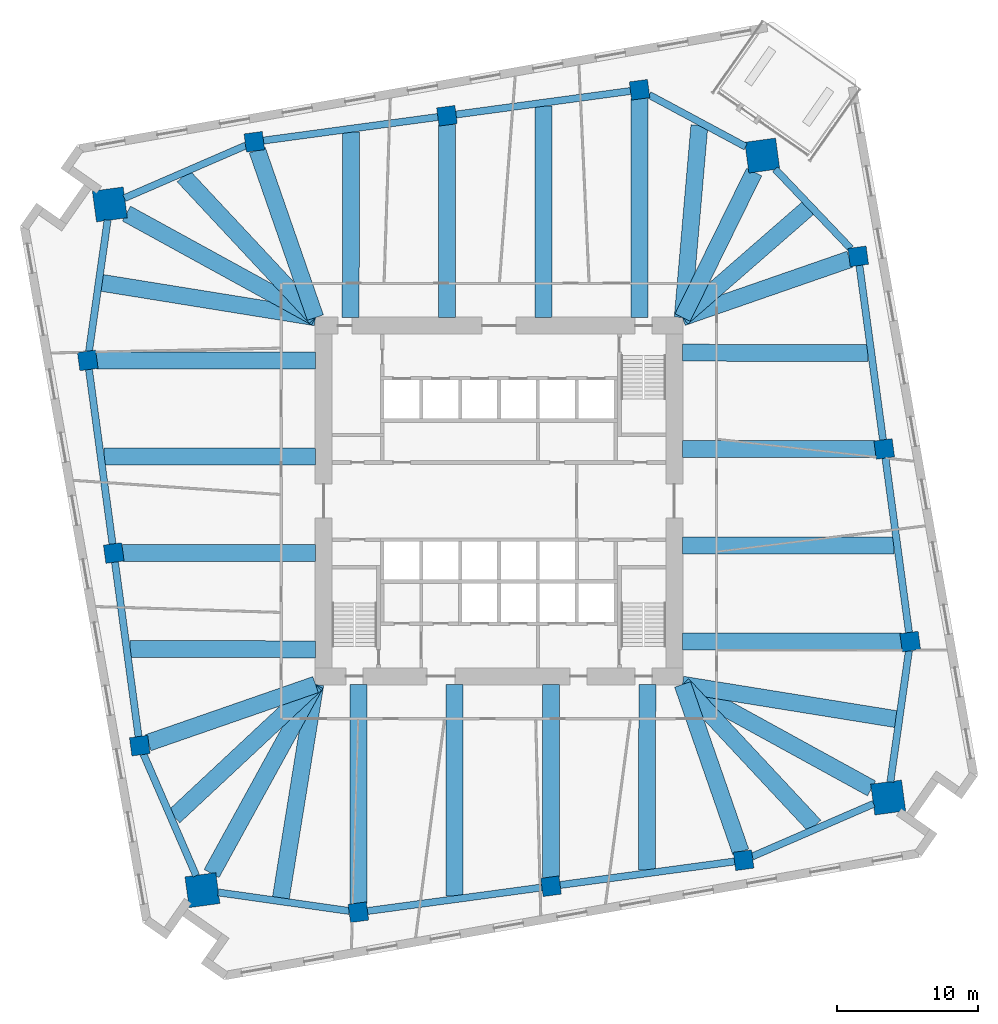
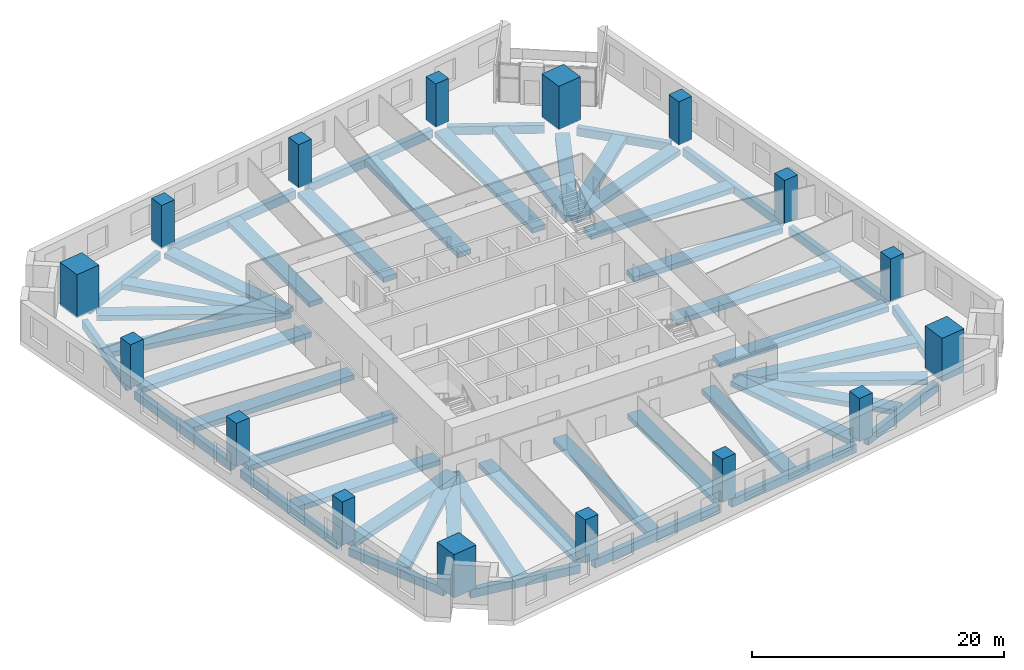
# One storey, part 1 of 10: 48 beams, 16 columns.
"""IFC4 building model written with IfcOpenShell, lengths in metres."""

import ifcopenshell
import ifcopenshell.guid

model = None  # the IFC model being written
_history = None  # IfcOwnerHistory: only IFC2X3 demands one
_inside = {}  # id of a spatial element -> (the spatial element, [elements in it])
_under = {}  # id of a project, library or spatial element -> (it, [spatial elements below it])
_declared = {}  # id of a project -> (the project, [libraries it declares])
_typed = {}  # id of a type object -> (the type object, [elements of that type])
_made_of = {}  # id of a material, layer set ... -> (it, [elements and type objects made of it])


def new_model(schema):
    """Start an empty IFC model of exactly this schema.

    Asked for "IFC4X3", IfcOpenShell would pick the latest addendum, in which some entities
    have other attributes; the version numbers below select the first issue.
    IFC2X3 requires an IfcOwnerHistory on every rooted entity: one is made here for all.
    """
    global model, _history
    if schema == "IFC4X3":
        model = ifcopenshell.file(schema_version=(4, 3, 0, 0))
    else:
        model = ifcopenshell.file(schema=schema)
    _inside.clear()
    _under.clear()
    _declared.clear()
    _typed.clear()
    _made_of.clear()
    _history = None
    if model.schema == "IFC2X3":
        org = make("IfcOrganization", Name="unknown")
        user = make(
            "IfcPersonAndOrganization",
            ThePerson=make("IfcPerson", FamilyName="unknown"),
            TheOrganization=org,
        )
        app = make(
            "IfcApplication",
            ApplicationDeveloper=org,
            Version="unknown",
            ApplicationFullName="unknown",
            ApplicationIdentifier="unknown",
        )
        _history = make(
            "IfcOwnerHistory",
            OwningUser=user,
            OwningApplication=app,
            ChangeAction="ADDED",
            CreationDate=0,
        )
    return model


def make(cls, **values):
    """One entity of the class cls with the attributes given. An attribute that is None is left unset."""
    return model.create_entity(
        cls, **{name: value for name, value in values.items() if value is not None}
    )


def rooted(cls, **values):
    """An entity with a GlobalId (a new one), such as an element, a storey or a relation."""
    return make(cls, GlobalId=ifcopenshell.guid.new(), OwnerHistory=_history, **values)


def si_unit(unit_type, name, prefix=None):
    """IfcSIUnit, for example si_unit("LENGTHUNIT", "METRE", prefix="MILLI")."""
    return make("IfcSIUnit", UnitType=unit_type, Prefix=prefix, Name=name)


def assignment(units):
    """IfcUnitAssignment: the units of a project."""
    return None if units is None else make("IfcUnitAssignment", Units=units)


def point(xyz):
    """IfcCartesianPoint."""
    return None if xyz is None else make("IfcCartesianPoint", Coordinates=xyz)


def direction(xyz):
    """IfcDirection."""
    return None if xyz is None else make("IfcDirection", DirectionRatios=xyz)


def frame(location, z_axis=None, x_axis=None):
    """IfcAxis2Placement3D, a coordinate frame: its origin and axes. An axis left out is left unset."""
    return make(
        "IfcAxis2Placement3D",
        Location=point(location),
        Axis=direction(z_axis),
        RefDirection=direction(x_axis),
    )


def frame_2d(location, x_axis=None):
    """IfcAxis2Placement2D, a coordinate frame in the plane: its origin and x axis."""
    return make(
        "IfcAxis2Placement2D", Location=point(location), RefDirection=direction(x_axis)
    )


def origin():
    """The frame at (0, 0, 0) with its axes left unset."""
    return frame((0.0, 0.0, 0.0))


def origin_2d():
    """The frame at (0, 0) in the plane with its x axis left unset."""
    return frame_2d((0.0, 0.0))


def place(relative_to, where):
    """IfcLocalPlacement: puts the frame where relative to a parent placement (None: the world)."""
    return make(
        "IfcLocalPlacement", PlacementRelTo=relative_to, RelativePlacement=where
    )


def context(
    kind, dimensions, precision=None, world=None, true_north=None, identifier=None
):
    """IfcGeometricRepresentationContext, for example the 3D "Model" context."""
    return make(
        "IfcGeometricRepresentationContext",
        ContextIdentifier=identifier,
        ContextType=kind,
        CoordinateSpaceDimension=dimensions,
        Precision=precision,
        WorldCoordinateSystem=world,
        TrueNorth=true_north,
    )


def subcontext(parent, identifier, kind, view, scale=None):
    """IfcGeometricRepresentationSubContext, for example "Body" below "Model"."""
    return make(
        "IfcGeometricRepresentationSubContext",
        ContextIdentifier=identifier,
        ContextType=kind,
        ParentContext=parent,
        TargetScale=scale,
        TargetView=view,
    )


def project(units=None, contexts=None):
    """IfcProject with its units and contexts."""
    return rooted(
        "IfcProject",
        Name="project",
        RepresentationContexts=contexts,
        UnitsInContext=assignment(units),
    )


def spatial(cls, under=None, at=None, **own):
    """A site, building, storey or space (cls), placed at a placement, below another one or the project."""
    s = rooted(cls, ObjectPlacement=at, **own)
    if under is not None:
        _under.setdefault(under.id(), (under, []))[1].append(s)
    return s


def profile(cls, at=None, kind="AREA", **sizes):
    """A parametric profile (cls). Its sizes go by their IFC names, for example OverallWidth=200.0."""
    return make(cls, ProfileType=kind, Position=at, **sizes)


def rectangle(**sizes):
    """IfcRectangleProfileDef."""
    return profile("IfcRectangleProfileDef", **sizes)


def extrude(swept, where, along, depth):
    """IfcExtrudedAreaSolid: the profile swept, set in the frame where, extruded along a direction by depth."""
    return make(
        "IfcExtrudedAreaSolid",
        SweptArea=swept,
        Position=where,
        ExtrudedDirection=direction(along),
        Depth=depth,
    )


def shape(context_of_items, identifier, shape_type, items):
    """IfcShapeRepresentation: the items that make up one representation, for example the "Body"."""
    return make(
        "IfcShapeRepresentation",
        ContextOfItems=context_of_items,
        RepresentationIdentifier=identifier,
        RepresentationType=shape_type,
        Items=items,
    )


def material(Name=None, Category=None):
    """IfcMaterial."""
    return make("IfcMaterial", Name=Name, Category=Category)


def material_profile(
    of_material, cross_section, Name=None, Category=None, Priority=None
):
    """IfcMaterialProfile: a cross section and its material."""
    return make(
        "IfcMaterialProfile",
        Name=Name,
        Material=of_material,
        Profile=cross_section,
        Priority=Priority,
        Category=Category,
    )


def profile_set(profiles, Name=None, composite=None):
    """IfcMaterialProfileSet."""
    return make(
        "IfcMaterialProfileSet",
        Name=Name,
        MaterialProfiles=profiles,
        CompositeProfile=composite,
    )


def made_of(thing, what):
    """Note that an element or type object is made of a material, layer set ...; save() writes the relation."""
    if what is not None:
        _made_of.setdefault(what.id(), (what, []))[1].append(thing)
    return thing


def type_object(cls, material=None, **own):
    """A type object (cls), such as IfcWallType, which elements share."""
    return made_of(rooted(cls, **own), material)


def element(
    cls,
    number,
    at=None,
    inside=None,
    cuts=None,
    type_object=None,
    material=None,
    context=None,
    identifier="Body",
    shape_type=None,
    held_by="IfcProductDefinitionShape",
    body=None,
    shapes=None,
    **own,
):
    """One element of the class cls, such as IfcWall. Its Tag is "e" and its number.

    at: its placement. inside: the storey or other place that contains it. cuts: it is an
    opening in that element (IfcRelVoidsElement). A single representation is given by context,
    identifier, shape_type and body (its items); several are given by shapes. held_by: the class
    of the entity that holds the representations. save() writes the other relations.
    """
    e = rooted(cls, Tag="e%d" % number, ObjectPlacement=at, **own)
    if body is not None:
        shapes = [shape(context, identifier, shape_type, body)]
    if shapes is not None:
        e.Representation = make(held_by, Representations=shapes)
    if inside is not None:
        _inside.setdefault(inside.id(), (inside, []))[1].append(e)
    if cuts is not None:
        rooted(
            "IfcRelVoidsElement", RelatingBuildingElement=cuts, RelatedOpeningElement=e
        )
    if type_object is not None:
        _typed.setdefault(type_object.id(), (type_object, []))[1].append(e)
    return made_of(e, material)


def aggregate(whole, parts):
    """IfcRelAggregates: a whole, such as a stair, and the parts it consists of."""
    return rooted("IfcRelAggregates", RelatingObject=whole, RelatedObjects=parts)


def save(model, path):
    """Write the relations noted so far, then the file.

    IfcRelAggregates (storeys below a building ...), IfcRelContainedInSpatialStructure (elements
    in a storey), IfcRelDefinesByType, IfcRelAssociatesMaterial and IfcRelDeclares: one each for
    every whole, place, type object, material and project.
    """
    for whole, parts in _under.values():
        aggregate(whole, parts)
    for where, things in _inside.values():
        rooted(
            "IfcRelContainedInSpatialStructure",
            RelatedElements=things,
            RelatingStructure=where,
        )
    for kind, things in _typed.values():
        rooted("IfcRelDefinesByType", RelatedObjects=things, RelatingType=kind)
    for what, things in _made_of.values():
        rooted("IfcRelAssociatesMaterial", RelatedObjects=things, RelatingMaterial=what)
    for by, libraries in _declared.values():
        rooted("IfcRelDeclares", RelatingContext=by, RelatedDefinitions=libraries)
    model.write(path)


model = new_model("IFC4")

# Units and contexts
model_context = context("Model", 3, precision=1e-05, world=origin(), true_north=direction((0.0, 1.0)))
body_context = subcontext(model_context, "Body", "Model", "MODEL_VIEW")
ifc_project = project(units=[si_unit("LENGTHUNIT", "METRE"), si_unit("AREAUNIT", "SQUARE_METRE"), si_unit("VOLUMEUNIT", "CUBIC_METRE"), si_unit("PLANEANGLEUNIT", "RADIAN"), si_unit("MASSUNIT", "GRAM", prefix="KILO")], contexts=[model_context])

# Site, building, storey
site_placement = place(None, origin())
site = spatial("IfcSite", under=ifc_project, at=site_placement, CompositionType="ELEMENT")
building_placement = place(site_placement, origin())
building = spatial("IfcBuilding", under=site, at=building_placement, Name="Dilmun Exchange Tower", CompositionType="ELEMENT")
storey_placement = place(building_placement, frame((0.0, 0.0, 59.699951171875)))
storey = spatial("IfcBuildingStorey", under=building, at=storey_placement, Name="L13", CompositionType="ELEMENT", Elevation=59.699951171875)

# Columns
ifc_material_1 = material(Name="Concrete C80/95", Category="concrete")
ifc_material_profile_1 = material_profile(ifc_material_1, rectangle(XDim=2.199951171875, YDim=2.199951171875, at=origin_2d()), Name="2200 x 2200")
ifc_profile_set_1 = profile_set([ifc_material_profile_1], Name="Concrete C80/95")
column_type_1 = type_object("IfcColumnType", Name="RC mega column 2200 x 2200 C80/95", PredefinedType="COLUMN", material=ifc_profile_set_1)
for number, where, z_axis, x_axis, name in (
    (1, (18.6220703125, 24.43701171875, 0.0), (0.0, 0.0, 1.0), (0.991001197216, 0.133853005627, 0.0), "Mega column M1"),
    (2, (-27.531005859375, 20.97900390625, 0.0), (0.0, 0.0, 1.0), (0.991001197216, 0.133853005627, 0.0), "Mega column M2"),
    (3, (-20.97900390625, -27.531005859375, 0.0), (0.0, 0.0, 1.0), (0.991001197216, 0.133853005627, 0.0), "Mega column M3"),
    (4, (27.531005859375, -20.97900390625, 0.0), (0.0, 0.0, 1.0), (0.991001197216, 0.133853005627, 0.0), "Mega column M4"),
):
    element("IfcColumn", number, at=place(storey_placement, frame(where, z_axis=z_axis, x_axis=x_axis)), inside=storey, type_object=column_type_1, Name=name, PredefinedType="COLUMN", context=body_context, shape_type="SweptSolid", body=[
        extrude(rectangle(XDim=2.199951171875, YDim=2.199951171875, at=origin_2d()), origin(), (0.0, 0.0, 1.0), 4.199951171875),
    ])
ifc_material_profile_2 = material_profile(ifc_material_1, rectangle(XDim=1.300048828125, YDim=1.300048828125, at=origin_2d()), Name="1300 x 1300")
ifc_profile_set_2 = profile_set([ifc_material_profile_2], Name="Concrete C80/95")
column_type_2 = type_object("IfcColumnType", Name="RC ring column 1300 x 1300 C80/95", PredefinedType="COLUMN", material=ifc_profile_set_2)
for number, where, z_axis, x_axis, name in (
    (5, (9.945068359375, 29.093017578125, 0.0), (0.0, 0.0, 1.0), (0.991001197216, 0.133853005627, 0.0), "Ring column R01"),
    (6, (-3.680908203125, 27.2529296875, 0.0), (0.0, 0.0, 1.0), (0.991001197216, 0.133853005627, 0.0), "Ring column R02"),
    (7, (-17.306884765625, 25.412109375, 0.0), (0.0, 0.0, 1.0), (0.991001197216, 0.133853005627, 0.0), "Ring column R03"),
    (8, (-29.093017578125, 9.945068359375, 0.0), (0.0, 0.0, 1.0), (0.991001197216, 0.133853005627, 0.0), "Ring column R04"),
    (9, (-27.2529296875, -3.680908203125, 0.0), (0.0, 0.0, 1.0), (0.991001197216, 0.133853005627, 0.0), "Ring column R05"),
    (10, (-25.412109375, -17.306884765625, 0.0), (0.0, 0.0, 1.0), (0.991001197216, 0.133853005627, 0.0), "Ring column R06"),
    (11, (-9.945068359375, -29.093017578125, 0.0), (0.0, 0.0, 1.0), (0.991001197216, 0.133853005627, 0.0), "Ring column R07"),
    (12, (3.680908203125, -27.2529296875, 0.0), (0.0, 0.0, 1.0), (0.991001197216, 0.133853005627, 0.0), "Ring column R08"),
    (13, (17.306884765625, -25.412109375, 0.0), (0.0, 0.0, 1.0), (0.991001197216, 0.133853005627, 0.0), "Ring column R09"),
    (14, (29.093017578125, -9.945068359375, 0.0), (0.0, 0.0, 1.0), (0.991001197216, 0.133853005627, 0.0), "Ring column R10"),
    (15, (27.2529296875, 3.680908203125, 0.0), (0.0, 0.0, 1.0), (0.991001197216, 0.133853005627, 0.0), "Ring column R11"),
    (16, (25.412109375, 17.306884765625, 0.0), (0.0, 0.0, 1.0), (0.991001197216, 0.133853005627, 0.0), "Ring column R12"),
):
    element("IfcColumn", number, at=place(storey_placement, frame(where, z_axis=z_axis, x_axis=x_axis)), inside=storey, type_object=column_type_2, Name=name, PredefinedType="COLUMN", context=body_context, shape_type="SweptSolid", body=[
        extrude(rectangle(XDim=1.300048828125, YDim=1.300048828125, at=origin_2d()), origin(), (0.0, 0.0, 1.0), 4.199951171875),
    ])

# Beams
ifc_material_2 = material(Name="Concrete C40/50", Category="concrete")
ifc_material_profile_3 = material_profile(ifc_material_2, rectangle(XDim=1.199951171875, YDim=0.5, at=origin_2d()), Name="1200 x 500")
ifc_profile_set_3 = profile_set([ifc_material_profile_3], Name="Concrete C40/50")
beam_type_1 = type_object("IfcBeamType", Name="RC band beam 1200 x 500 C40/50", PredefinedType="BEAM", material=ifc_profile_set_3)
beam_1_placement = place(storey_placement, frame((18.049560546875, 23.272216796875, -0.699951171875), z_axis=(-0.44116009834, -0.897428419225, 0.0), x_axis=(0.897428419225, -0.44116009834, 0.0)))
element("IfcBeam", 17, at=beam_1_placement, inside=storey, type_object=beam_type_1, Name="Band beam 1", PredefinedType="BEAM", context=body_context, shape_type="SweptSolid", body=[
    extrude(rectangle(XDim=1.199951171875, YDim=0.5, at=origin_2d()), origin(), (0.0, 0.0, 1.0), 11.47314453125),
])
beam_2_placement = place(storey_placement, frame((9.945068359375, 28.464111328125, -0.699951171875), z_axis=(0.0, -1.0, 0.0), x_axis=(1.0, 0.0, 0.0)))
element("IfcBeam", 18, at=beam_2_placement, inside=storey, type_object=beam_type_1, Name="Band beam 2", PredefinedType="BEAM", context=body_context, shape_type="SweptSolid", body=[
    extrude(rectangle(XDim=1.199951171875, YDim=0.5, at=origin_2d()), origin(), (0.0, 0.0, 1.0), 15.4912109375),
])
beam_3_placement = place(storey_placement, frame((-3.680908203125, 26.6240234375, -0.699951171875), z_axis=(0.0, -1.0, 0.0), x_axis=(1.0, 0.0, 0.0)))
element("IfcBeam", 19, at=beam_3_placement, inside=storey, type_object=beam_type_1, Name="Band beam 3", PredefinedType="BEAM", context=body_context, shape_type="SweptSolid", body=[
    extrude(rectangle(XDim=1.199951171875, YDim=0.5, at=origin_2d()), origin(), (0.0, 0.0, 1.0), 13.651123046875),
])
beam_4_placement = place(storey_placement, frame((-17.098388671875, 24.81103515625, -0.699951171875), z_axis=(0.327819910959, -0.94474023201, 0.0), x_axis=(0.94474023201, 0.327819910959, 0.0)))
element("IfcBeam", 20, at=beam_4_placement, inside=storey, type_object=beam_type_1, Name="Band beam 4", PredefinedType="BEAM", context=body_context, shape_type="SweptSolid", body=[
    extrude(rectangle(XDim=1.199951171875, YDim=0.5, at=origin_2d()), origin(), (0.0, 0.0, 1.0), 12.52880859375),
])
beam_5_placement = place(storey_placement, frame((-26.355712890625, 20.333740234375, -0.699951171875), z_axis=(0.876547324806, -0.481315683699, 0.0), x_axis=(0.481315683699, 0.876547324806, 0.0)))
element("IfcBeam", 21, at=beam_5_placement, inside=storey, type_object=beam_type_1, Name="Band beam 5", PredefinedType="BEAM", context=body_context, shape_type="SweptSolid", body=[
    extrude(rectangle(XDim=1.199951171875, YDim=0.5, at=origin_2d()), origin(), (0.0, 0.0, 1.0), 15.263671875),
])
beam_6_placement = place(storey_placement, frame((-28.464111328125, 9.945068359375, -0.699951171875), z_axis=(1.0, 0.0, 0.0), x_axis=(0.0, 1.0, 0.0)))
element("IfcBeam", 22, at=beam_6_placement, inside=storey, type_object=beam_type_1, Name="Band beam 6", PredefinedType="BEAM", context=body_context, shape_type="SweptSolid", body=[
    extrude(rectangle(XDim=1.199951171875, YDim=0.5, at=origin_2d()), origin(), (0.0, 0.0, 1.0), 15.4912109375),
])
beam_7_placement = place(storey_placement, frame((-26.6240234375, -3.680908203125, -0.699951171875), z_axis=(1.0, 0.0, 0.0), x_axis=(0.0, 1.0, 0.0)))
element("IfcBeam", 23, at=beam_7_placement, inside=storey, type_object=beam_type_1, Name="Band beam 7", PredefinedType="BEAM", context=body_context, shape_type="SweptSolid", body=[
    extrude(rectangle(XDim=1.199951171875, YDim=0.5, at=origin_2d()), origin(), (0.0, 0.0, 1.0), 13.651123046875),
])
beam_8_placement = place(storey_placement, frame((-24.81103515625, -17.098388671875, -0.699951171875), z_axis=(0.94474023201, 0.327819910959, 0.0), x_axis=(-0.327819910959, 0.94474023201, 0.0)))
element("IfcBeam", 24, at=beam_8_placement, inside=storey, type_object=beam_type_1, Name="Band beam 8", PredefinedType="BEAM", context=body_context, shape_type="SweptSolid", body=[
    extrude(rectangle(XDim=1.199951171875, YDim=0.5, at=origin_2d()), origin(), (0.0, 0.0, 1.0), 12.52880859375),
])
beam_9_placement = place(storey_placement, frame((-20.333740234375, -26.355712890625, -0.699951171875), z_axis=(0.481315683699, 0.876547324806, 0.0), x_axis=(-0.876547324806, 0.481315683699, 0.0)))
element("IfcBeam", 25, at=beam_9_placement, inside=storey, type_object=beam_type_1, Name="Band beam 9", PredefinedType="BEAM", context=body_context, shape_type="SweptSolid", body=[
    extrude(rectangle(XDim=1.199951171875, YDim=0.5, at=origin_2d()), origin(), (0.0, 0.0, 1.0), 15.263671875),
])
beam_10_placement = place(storey_placement, frame((-9.945068359375, -28.464111328125, -0.699951171875), z_axis=(0.0, 1.0, 0.0), x_axis=(-1.0, 0.0, 0.0)))
element("IfcBeam", 26, at=beam_10_placement, inside=storey, type_object=beam_type_1, Name="Band beam 10", PredefinedType="BEAM", context=body_context, shape_type="SweptSolid", body=[
    extrude(rectangle(XDim=1.199951171875, YDim=0.5, at=origin_2d()), origin(), (0.0, 0.0, 1.0), 15.4912109375),
])
beam_11_placement = place(storey_placement, frame((3.680908203125, -26.6240234375, -0.699951171875), z_axis=(0.0, 1.0, 0.0), x_axis=(-1.0, 0.0, 0.0)))
element("IfcBeam", 27, at=beam_11_placement, inside=storey, type_object=beam_type_1, Name="Band beam 11", PredefinedType="BEAM", context=body_context, shape_type="SweptSolid", body=[
    extrude(rectangle(XDim=1.199951171875, YDim=0.5, at=origin_2d()), origin(), (0.0, 0.0, 1.0), 13.651123046875),
])
beam_12_placement = place(storey_placement, frame((17.098388671875, -24.81103515625, -0.699951171875), z_axis=(-0.327819910959, 0.94474023201, 0.0), x_axis=(-0.94474023201, -0.327819910959, 0.0)))
element("IfcBeam", 28, at=beam_12_placement, inside=storey, type_object=beam_type_1, Name="Band beam 12", PredefinedType="BEAM", context=body_context, shape_type="SweptSolid", body=[
    extrude(rectangle(XDim=1.199951171875, YDim=0.5, at=origin_2d()), origin(), (0.0, 0.0, 1.0), 12.52880859375),
])
beam_13_placement = place(storey_placement, frame((26.355712890625, -20.333740234375, -0.699951171875), z_axis=(-0.876547324806, 0.481315683699, 0.0), x_axis=(-0.481315683699, -0.876547324806, 0.0)))
element("IfcBeam", 29, at=beam_13_placement, inside=storey, type_object=beam_type_1, Name="Band beam 13", PredefinedType="BEAM", context=body_context, shape_type="SweptSolid", body=[
    extrude(rectangle(XDim=1.199951171875, YDim=0.5, at=origin_2d()), origin(), (0.0, 0.0, 1.0), 15.263671875),
])
beam_14_placement = place(storey_placement, frame((28.464111328125, -9.945068359375, -0.699951171875), z_axis=(-1.0, 0.0, 0.0), x_axis=(0.0, -1.0, 0.0)))
element("IfcBeam", 30, at=beam_14_placement, inside=storey, type_object=beam_type_1, Name="Band beam 14", PredefinedType="BEAM", context=body_context, shape_type="SweptSolid", body=[
    extrude(rectangle(XDim=1.199951171875, YDim=0.5, at=origin_2d()), origin(), (0.0, 0.0, 1.0), 15.4912109375),
])
beam_15_placement = place(storey_placement, frame((26.6240234375, 3.680908203125, -0.699951171875), z_axis=(-1.0, 0.0, 0.0), x_axis=(0.0, -1.0, 0.0)))
element("IfcBeam", 31, at=beam_15_placement, inside=storey, type_object=beam_type_1, Name="Band beam 15", PredefinedType="BEAM", context=body_context, shape_type="SweptSolid", body=[
    extrude(rectangle(XDim=1.199951171875, YDim=0.5, at=origin_2d()), origin(), (0.0, 0.0, 1.0), 13.651123046875),
])
beam_16_placement = place(storey_placement, frame((24.81103515625, 17.098388671875, -0.699951171875), z_axis=(-0.94474023201, -0.327819910959, 0.0), x_axis=(0.327819910959, -0.94474023201, 0.0)))
element("IfcBeam", 32, at=beam_16_placement, inside=storey, type_object=beam_type_1, Name="Band beam 16", PredefinedType="BEAM", context=body_context, shape_type="SweptSolid", body=[
    extrude(rectangle(XDim=1.199951171875, YDim=0.5, at=origin_2d()), origin(), (0.0, 0.0, 1.0), 12.52880859375),
])
beam_17_placement = place(storey_placement, frame((14.177978515625, 26.568603515625, -0.699951171875), z_axis=(-0.086499148019, -0.996251924662, 0.0), x_axis=(0.996251924662, -0.086499148019, 0.0)))
element("IfcBeam", 33, at=beam_17_placement, inside=storey, type_object=beam_type_1, Name="Band beam 17", PredefinedType="BEAM", context=body_context, shape_type="SweptSolid", body=[
    extrude(rectangle(XDim=1.199951171875, YDim=0.5, at=origin_2d()), origin(), (0.0, 0.0, 1.0), 13.646728515625),
])
beam_18_placement = place(storey_placement, frame((3.161865234375, 27.951904296875, -0.699951171875), z_axis=(-0.001988456479, -0.999998023018, 0.0), x_axis=(0.999998023018, -0.001988456479, 0.0)))
element("IfcBeam", 34, at=beam_18_placement, inside=storey, type_object=beam_type_1, Name="Band beam 18", PredefinedType="BEAM", context=body_context, shape_type="SweptSolid", body=[
    extrude(rectangle(XDim=1.199951171875, YDim=0.5, at=origin_2d()), origin(), (0.0, 0.0, 1.0), 14.97900390625),
])
beam_19_placement = place(storey_placement, frame((-10.464111328125, 26.111572265625, -0.699951171875), z_axis=(-0.002266977971, -0.999997430402, 0.0), x_axis=(0.999997430402, -0.002266977971, 0.0)))
element("IfcBeam", 35, at=beam_19_placement, inside=storey, type_object=beam_type_1, Name="Band beam 19", PredefinedType="BEAM", context=body_context, shape_type="SweptSolid", body=[
    extrude(rectangle(XDim=1.199951171875, YDim=0.5, at=origin_2d()), origin(), (0.0, 0.0, 1.0), 13.138671875),
])
beam_20_placement = place(storey_placement, frame((-22.330322265625, 22.990966796875, -0.699951171875), z_axis=(0.682523984798, -0.730863195253, 0.0), x_axis=(0.730863195253, 0.682523984798, 0.0)))
element("IfcBeam", 36, at=beam_20_placement, inside=storey, type_object=beam_type_1, Name="Band beam 20", PredefinedType="BEAM", context=body_context, shape_type="SweptSolid", body=[
    extrude(rectangle(XDim=1.199951171875, YDim=0.5, at=origin_2d()), origin(), (0.0, 0.0, 1.0), 13.697265625),
])
beam_21_placement = place(storey_placement, frame((-28.09130859375, 15.4306640625, -0.699951171875), z_axis=(0.98727513595, -0.159021400868, 0.0), x_axis=(0.159021400868, 0.98727513595, 0.0)))
element("IfcBeam", 37, at=beam_21_placement, inside=storey, type_object=beam_type_1, Name="Band beam 21", PredefinedType="BEAM", context=body_context, shape_type="SweptSolid", body=[
    extrude(rectangle(XDim=1.199951171875, YDim=0.5, at=origin_2d()), origin(), (0.0, 0.0, 1.0), 15.312744140625),
])
beam_22_placement = place(storey_placement, frame((-27.951904296875, 3.161865234375, -0.699951171875), z_axis=(0.999998023018, -0.001988456479, 0.0), x_axis=(0.001988456479, 0.999998023018, 0.0)))
element("IfcBeam", 38, at=beam_22_placement, inside=storey, type_object=beam_type_1, Name="Band beam 22", PredefinedType="BEAM", context=body_context, shape_type="SweptSolid", body=[
    extrude(rectangle(XDim=1.199951171875, YDim=0.5, at=origin_2d()), origin(), (0.0, 0.0, 1.0), 14.97900390625),
])
beam_23_placement = place(storey_placement, frame((-26.111572265625, -10.464111328125, -0.699951171875), z_axis=(0.999997430402, -0.002266977971, 0.0), x_axis=(0.002266977971, 0.999997430402, 0.0)))
element("IfcBeam", 39, at=beam_23_placement, inside=storey, type_object=beam_type_1, Name="Band beam 23", PredefinedType="BEAM", context=body_context, shape_type="SweptSolid", body=[
    extrude(rectangle(XDim=1.199951171875, YDim=0.5, at=origin_2d()), origin(), (0.0, 0.0, 1.0), 13.138671875),
])
beam_24_placement = place(storey_placement, frame((-22.990966796875, -22.330322265625, -0.699951171875), z_axis=(0.730863195253, 0.682523984798, 0.0), x_axis=(-0.682523984798, 0.730863195253, 0.0)))
element("IfcBeam", 40, at=beam_24_placement, inside=storey, type_object=beam_type_1, Name="Band beam 24", PredefinedType="BEAM", context=body_context, shape_type="SweptSolid", body=[
    extrude(rectangle(XDim=1.199951171875, YDim=0.5, at=origin_2d()), origin(), (0.0, 0.0, 1.0), 13.697265625),
])
beam_25_placement = place(storey_placement, frame((-15.4306640625, -28.09130859375, -0.699951171875), z_axis=(0.159021400868, 0.98727513595, 0.0), x_axis=(-0.98727513595, 0.159021400868, 0.0)))
element("IfcBeam", 41, at=beam_25_placement, inside=storey, type_object=beam_type_1, Name="Band beam 25", PredefinedType="BEAM", context=body_context, shape_type="SweptSolid", body=[
    extrude(rectangle(XDim=1.199951171875, YDim=0.5, at=origin_2d()), origin(), (0.0, 0.0, 1.0), 15.312744140625),
])
beam_26_placement = place(storey_placement, frame((-3.161865234375, -27.951904296875, -0.699951171875), z_axis=(0.001988456479, 0.999998023018, 0.0), x_axis=(-0.999998023018, 0.001988456479, 0.0)))
element("IfcBeam", 42, at=beam_26_placement, inside=storey, type_object=beam_type_1, Name="Band beam 26", PredefinedType="BEAM", context=body_context, shape_type="SweptSolid", body=[
    extrude(rectangle(XDim=1.199951171875, YDim=0.5, at=origin_2d()), origin(), (0.0, 0.0, 1.0), 14.97900390625),
])
beam_27_placement = place(storey_placement, frame((10.464111328125, -26.111572265625, -0.699951171875), z_axis=(0.002266977971, 0.999997430402, 0.0), x_axis=(-0.999997430402, 0.002266977971, 0.0)))
element("IfcBeam", 43, at=beam_27_placement, inside=storey, type_object=beam_type_1, Name="Band beam 27", PredefinedType="BEAM", context=body_context, shape_type="SweptSolid", body=[
    extrude(rectangle(XDim=1.199951171875, YDim=0.5, at=origin_2d()), origin(), (0.0, 0.0, 1.0), 13.138671875),
])
beam_28_placement = place(storey_placement, frame((22.330322265625, -22.990966796875, -0.699951171875), z_axis=(-0.682523984798, 0.730863195253, 0.0), x_axis=(-0.730863195253, -0.682523984798, 0.0)))
element("IfcBeam", 44, at=beam_28_placement, inside=storey, type_object=beam_type_1, Name="Band beam 28", PredefinedType="BEAM", context=body_context, shape_type="SweptSolid", body=[
    extrude(rectangle(XDim=1.199951171875, YDim=0.5, at=origin_2d()), origin(), (0.0, 0.0, 1.0), 13.697265625),
])
beam_29_placement = place(storey_placement, frame((28.09130859375, -15.4306640625, -0.699951171875), z_axis=(-0.98727513595, 0.159021400868, 0.0), x_axis=(-0.159021400868, -0.98727513595, 0.0)))
element("IfcBeam", 45, at=beam_29_placement, inside=storey, type_object=beam_type_1, Name="Band beam 29", PredefinedType="BEAM", context=body_context, shape_type="SweptSolid", body=[
    extrude(rectangle(XDim=1.199951171875, YDim=0.5, at=origin_2d()), origin(), (0.0, 0.0, 1.0), 15.312744140625),
])
beam_30_placement = place(storey_placement, frame((27.951904296875, -3.161865234375, -0.699951171875), z_axis=(-0.999998023018, 0.001988456479, 0.0), x_axis=(-0.001988456479, -0.999998023018, 0.0)))
element("IfcBeam", 46, at=beam_30_placement, inside=storey, type_object=beam_type_1, Name="Band beam 30", PredefinedType="BEAM", context=body_context, shape_type="SweptSolid", body=[
    extrude(rectangle(XDim=1.199951171875, YDim=0.5, at=origin_2d()), origin(), (0.0, 0.0, 1.0), 14.97900390625),
])
beam_31_placement = place(storey_placement, frame((26.111572265625, 10.464111328125, -0.699951171875), z_axis=(-0.999997430402, 0.002266977971, 0.0), x_axis=(-0.002266977971, -0.999997430402, 0.0)))
element("IfcBeam", 47, at=beam_31_placement, inside=storey, type_object=beam_type_1, Name="Band beam 31", PredefinedType="BEAM", context=body_context, shape_type="SweptSolid", body=[
    extrude(rectangle(XDim=1.199951171875, YDim=0.5, at=origin_2d()), origin(), (0.0, 0.0, 1.0), 13.138671875),
])
beam_32_placement = place(storey_placement, frame((21.85546875, 20.71826171875, -0.699951171875), z_axis=(-0.75384567582, -0.657051517803, 0.0), x_axis=(0.657051517803, -0.75384567582, 0.0)))
element("IfcBeam", 48, at=beam_32_placement, inside=storey, type_object=beam_type_1, Name="Band beam 32", PredefinedType="BEAM", context=body_context, shape_type="SweptSolid", body=[
    extrude(rectangle(XDim=1.199951171875, YDim=0.5, at=origin_2d()), origin(), (0.0, 0.0, 1.0), 11.77392578125),
])
ifc_material_profile_4 = material_profile(ifc_material_2, rectangle(XDim=0.5, YDim=0.800048828125, at=origin_2d()), Name="500 x 800")
ifc_profile_set_4 = profile_set([ifc_material_profile_4], Name="Concrete C40/50")
beam_type_2 = type_object("IfcBeamType", Name="RC ring beam 500 x 800 C40/50", PredefinedType="SPANDREL", material=ifc_profile_set_4)
beam_33_placement = place(storey_placement, frame((17.44921875, 25.06640625, -0.849853515625), z_axis=(-0.881161870548, 0.472814718354, 0.0), x_axis=(-0.472814718354, -0.881161870548, 0.0)))
element("IfcBeam", 49, at=beam_33_placement, inside=storey, type_object=beam_type_2, Name="Ring beam 1", PredefinedType="SPANDREL", context=body_context, shape_type="SweptSolid", body=[
    extrude(rectangle(XDim=0.5, YDim=0.800048828125, at=origin_2d()), origin(), (0.0, 0.0, 1.0), 7.74072265625),
])
for number, where, z_axis, x_axis, name in (
    (50, (9.32763671875, 29.009521484375, -0.849853515625), (-0.991007411355, -0.133806990248, 0.0), (0.133806990248, -0.991007411355, 0.0), "Ring beam 2"),
    (51, (-4.29833984375, 27.169677734375, -0.849853515625), (-0.990994461239, -0.133902867012, 0.0), (0.133902867012, -0.990994461239, 0.0), "Ring beam 3"),
):
    element("IfcBeam", number, at=place(storey_placement, frame(where, z_axis=z_axis, x_axis=x_axis)), inside=storey, type_object=beam_type_2, Name=name, PredefinedType="SPANDREL", context=body_context, shape_type="SweptSolid", body=[
        extrude(rectangle(XDim=0.5, YDim=0.800048828125, at=origin_2d()), origin(), (0.0, 0.0, 1.0), 12.50390625),
    ])
beam_34_placement = place(storey_placement, frame((-17.90185546875, 25.154052734375, -0.849853515625), z_axis=(-0.917467286901, -0.397811233459, 0.0), x_axis=(0.397811233459, -0.917467286901, 0.0)))
element("IfcBeam", 52, at=beam_34_placement, inside=storey, type_object=beam_type_2, Name="Ring beam 4", PredefinedType="SPANDREL", context=body_context, shape_type="SweptSolid", body=[
    extrude(rectangle(XDim=0.5, YDim=0.800048828125, at=origin_2d()), origin(), (0.0, 0.0, 1.0), 9.37939453125),
])
beam_35_placement = place(storey_placement, frame((-27.6875, 19.8740234375, -0.849853515625), z_axis=(-0.140164060375, -0.990128292788, 0.0), x_axis=(0.990128292788, -0.140164060375, 0.0)))
element("IfcBeam", 53, at=beam_35_placement, inside=storey, type_object=beam_type_2, Name="Ring beam 5", PredefinedType="SPANDREL", context=body_context, shape_type="SweptSolid", body=[
    extrude(rectangle(XDim=0.5, YDim=0.800048828125, at=origin_2d()), origin(), (0.0, 0.0, 1.0), 9.379638671875),
])
for number, where, z_axis, x_axis, name in (
    (54, (-29.009521484375, 9.32763671875, -0.849853515625), (0.133806990248, -0.991007411355, 0.0), (0.991007411355, 0.133806990248, 0.0), "Ring beam 6"),
    (55, (-27.169677734375, -4.29833984375, -0.849853515625), (0.133902867012, -0.990994461239, 0.0), (0.990994461239, 0.133902867012, 0.0), "Ring beam 7"),
):
    element("IfcBeam", number, at=place(storey_placement, frame(where, z_axis=z_axis, x_axis=x_axis)), inside=storey, type_object=beam_type_2, Name=name, PredefinedType="SPANDREL", context=body_context, shape_type="SweptSolid", body=[
        extrude(rectangle(XDim=0.5, YDim=0.800048828125, at=origin_2d()), origin(), (0.0, 0.0, 1.0), 12.50390625),
    ])
beam_36_placement = place(storey_placement, frame((-25.154052734375, -17.90185546875, -0.849853515625), z_axis=(0.397811233459, -0.917467286901, 0.0), x_axis=(0.917467286901, 0.397811233459, 0.0)))
element("IfcBeam", 56, at=beam_36_placement, inside=storey, type_object=beam_type_2, Name="Ring beam 8", PredefinedType="SPANDREL", context=body_context, shape_type="SweptSolid", body=[
    extrude(rectangle(XDim=0.5, YDim=0.800048828125, at=origin_2d()), origin(), (0.0, 0.0, 1.0), 9.37939453125),
])
beam_37_placement = place(storey_placement, frame((-19.8740234375, -27.6875, -0.849853515625), z_axis=(0.990128292788, -0.140164060375, 0.0), x_axis=(0.140164060375, 0.990128292788, 0.0)))
element("IfcBeam", 57, at=beam_37_placement, inside=storey, type_object=beam_type_2, Name="Ring beam 9", PredefinedType="SPANDREL", context=body_context, shape_type="SweptSolid", body=[
    extrude(rectangle(XDim=0.5, YDim=0.800048828125, at=origin_2d()), origin(), (0.0, 0.0, 1.0), 9.379638671875),
])
for number, where, z_axis, x_axis, name in (
    (58, (-9.32763671875, -29.009521484375, -0.849853515625), (0.991007411355, 0.133806990248, 0.0), (-0.133806990248, 0.991007411355, 0.0), "Ring beam 10"),
    (59, (4.29833984375, -27.169677734375, -0.849853515625), (0.990994461239, 0.133902867012, 0.0), (-0.133902867012, 0.990994461239, 0.0), "Ring beam 11"),
):
    element("IfcBeam", number, at=place(storey_placement, frame(where, z_axis=z_axis, x_axis=x_axis)), inside=storey, type_object=beam_type_2, Name=name, PredefinedType="SPANDREL", context=body_context, shape_type="SweptSolid", body=[
        extrude(rectangle(XDim=0.5, YDim=0.800048828125, at=origin_2d()), origin(), (0.0, 0.0, 1.0), 12.50390625),
    ])
beam_38_placement = place(storey_placement, frame((17.90185546875, -25.154052734375, -0.849853515625), z_axis=(0.917467286901, 0.397811233459, 0.0), x_axis=(-0.397811233459, 0.917467286901, 0.0)))
element("IfcBeam", 60, at=beam_38_placement, inside=storey, type_object=beam_type_2, Name="Ring beam 12", PredefinedType="SPANDREL", context=body_context, shape_type="SweptSolid", body=[
    extrude(rectangle(XDim=0.5, YDim=0.800048828125, at=origin_2d()), origin(), (0.0, 0.0, 1.0), 9.37939453125),
])
beam_39_placement = place(storey_placement, frame((27.6875, -19.8740234375, -0.849853515625), z_axis=(0.140164060375, 0.990128292788, 0.0), x_axis=(-0.990128292788, 0.140164060375, 0.0)))
element("IfcBeam", 61, at=beam_39_placement, inside=storey, type_object=beam_type_2, Name="Ring beam 13", PredefinedType="SPANDREL", context=body_context, shape_type="SweptSolid", body=[
    extrude(rectangle(XDim=0.5, YDim=0.800048828125, at=origin_2d()), origin(), (0.0, 0.0, 1.0), 9.379638671875),
])
for number, where, z_axis, x_axis, name in (
    (62, (29.009521484375, -9.32763671875, -0.849853515625), (-0.133806990248, 0.991007411355, 0.0), (-0.991007411355, -0.133806990248, 0.0), "Ring beam 14"),
    (63, (27.169677734375, 4.29833984375, -0.849853515625), (-0.133902867012, 0.990994461239, 0.0), (-0.990994461239, -0.133902867012, 0.0), "Ring beam 15"),
):
    element("IfcBeam", number, at=place(storey_placement, frame(where, z_axis=z_axis, x_axis=x_axis)), inside=storey, type_object=beam_type_2, Name=name, PredefinedType="SPANDREL", context=body_context, shape_type="SweptSolid", body=[
        extrude(rectangle(XDim=0.5, YDim=0.800048828125, at=origin_2d()), origin(), (0.0, 0.0, 1.0), 12.50390625),
    ])
beam_40_placement = place(storey_placement, frame((24.877197265625, 17.86865234375, -0.849853515625), z_axis=(-0.689624451134, 0.724167188154, 0.0), x_axis=(-0.724167188154, -0.689624451134, 0.0)))
element("IfcBeam", 64, at=beam_40_placement, inside=storey, type_object=beam_type_2, Name="Ring beam 16", PredefinedType="SPANDREL", context=body_context, shape_type="SweptSolid", body=[
    extrude(rectangle(XDim=0.5, YDim=0.800048828125, at=origin_2d()), origin(), (0.0, 0.0, 1.0), 7.7392578125),
])

save(model, "model.ifc")
